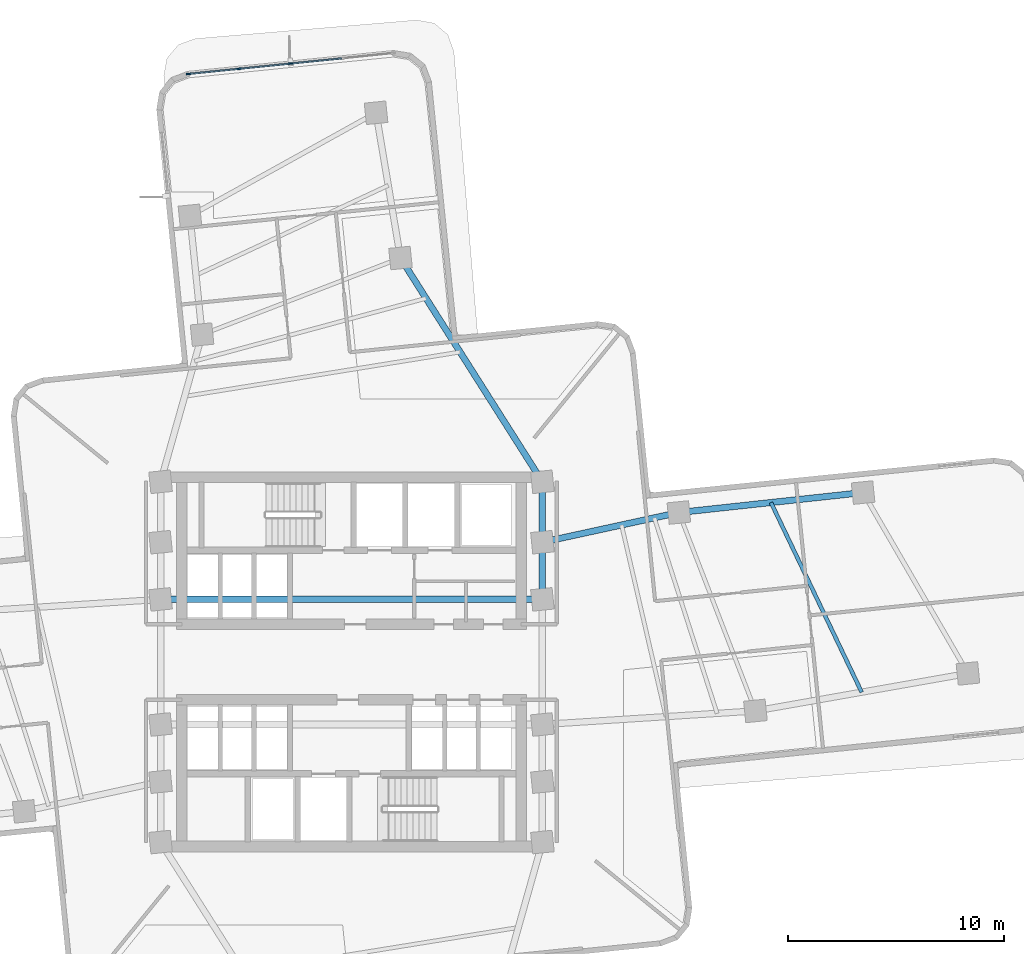
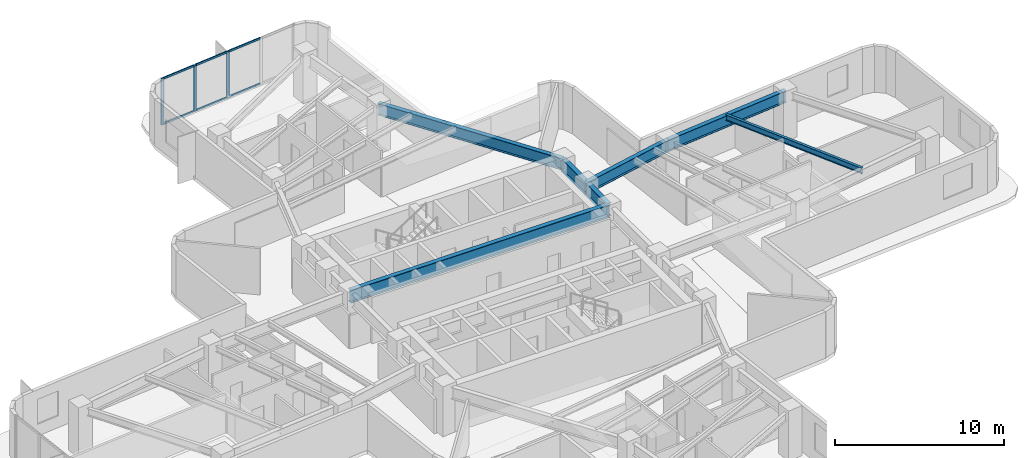
# One storey, part 4 of 14: 9 members, 7 beams, 1 element without a shape of its own.
"""IFC4 building model written with IfcOpenShell, lengths in metres."""

from ifc_helpers import new_model, si_unit, direction, frame, origin, origin_2d, place, context, subcontext, project, spatial, rectangle, i_section, extrude, material, layer, layer_set, material_profile, profile_set, type_object, element, aggregate, save


model = new_model("IFC4")

# Units and contexts
model_context = context("Model", 3, precision=1e-05, world=origin(), true_north=direction((0.0, 1.0)))
body_context = subcontext(model_context, "Body", "Model", "MODEL_VIEW")
ifc_project = project(units=[si_unit("LENGTHUNIT", "METRE"), si_unit("AREAUNIT", "SQUARE_METRE"), si_unit("VOLUMEUNIT", "CUBIC_METRE"), si_unit("PLANEANGLEUNIT", "RADIAN"), si_unit("MASSUNIT", "GRAM", prefix="KILO")], contexts=[model_context])

# Site, building, storey
site_placement = place(None, origin())
site = spatial("IfcSite", under=ifc_project, at=site_placement, CompositionType="ELEMENT")
building_placement = place(site_placement, origin())
building = spatial("IfcBuilding", under=site, at=building_placement, Name="Solmarez Civic Tower", CompositionType="ELEMENT")
storey_placement = place(building_placement, frame((0.0, 0.0, 67.679931640625)))
storey = spatial("IfcBuildingStorey", under=building, at=storey_placement, Name="L17", CompositionType="ELEMENT", Elevation=67.679931640625)

# Beams
ifc_material_1 = material(Name="Steel S355", Category="steel")
ifc_material_profile_1 = material_profile(ifc_material_1, i_section(OverallWidth=0.178955078125, OverallDepth=0.409912109375, WebThickness=0.0087890625, FlangeThickness=0.014404296875, at=origin_2d()), Name="W16X45")
ifc_profile_set_1 = profile_set([ifc_material_profile_1], Name="Steel S355")
beam_type_1 = type_object("IfcBeamType", Name="BM-JS-W16X45", PredefinedType="JOIST", material=ifc_profile_set_1)
beam_1_placement = place(storey_placement, frame((23.64990234375, -1.402099609375, 3.135009765625), z_axis=(-0.431491843414, 0.902116837814, 0.0), x_axis=(-0.902116837814, -0.431491843414, 0.0)))
element("IfcBeam", 1, at=beam_1_placement, inside=storey, type_object=beam_type_1, Name="L17 Secondary Floor Joist JS-L17-EA-M2", PredefinedType="JOIST", context=body_context, shape_type="SweptSolid", body=[
    extrude(i_section(OverallWidth=0.178955078125, OverallDepth=0.409912109375, WebThickness=0.0087890625, FlangeThickness=0.014404296875, at=origin_2d()), origin(), (0.0, 0.0, 1.0), 9.744873046875),
])
ifc_material_profile_2 = material_profile(ifc_material_1, i_section(OverallWidth=0.2919921875, OverallDepth=0.845947265625, WebThickness=0.015380859375, FlangeThickness=0.0244140625, at=origin_2d()), Name="W33X141")
ifc_profile_set_2 = profile_set([ifc_material_profile_2], Name="Steel S355")
beam_type_2 = type_object("IfcBeamType", Name="BM-PR-W33X141", PredefinedType="BEAM", material=ifc_profile_set_2)
beam_2_placement = place(storey_placement, frame((8.85009765625, 5.550048828125, 2.9169921875), z_axis=(0.977113347202, 0.212719314402, 0.0), x_axis=(-0.212719314402, 0.977113347202, 0.0)))
element("IfcBeam", 2, at=beam_2_placement, inside=storey, type_object=beam_type_2, Name="L17 Primary Floor Beam BM-L17-EA-R1B", PredefinedType="BEAM", context=body_context, shape_type="SweptSolid", body=[
    extrude(i_section(OverallWidth=0.2919921875, OverallDepth=0.845947265625, WebThickness=0.015380859375, FlangeThickness=0.0244140625, at=origin_2d()), origin(), (0.0, 0.0, 1.0), 6.47314453125),
])
beam_3_placement = place(storey_placement, frame((15.175048828125, 6.927001953125, 2.9169921875), z_axis=(0.994196782435, 0.107576753045, 0.0), x_axis=(-0.107576753045, 0.994196782435, 0.0)))
element("IfcBeam", 3, at=beam_3_placement, inside=storey, type_object=beam_type_2, Name="L17 Primary Floor Beam BM-L17-EA-R2B", PredefinedType="BEAM", context=body_context, shape_type="SweptSolid", body=[
    extrude(i_section(OverallWidth=0.2919921875, OverallDepth=0.845947265625, WebThickness=0.015380859375, FlangeThickness=0.0244140625, at=origin_2d()), origin(), (0.0, 0.0, 1.0), 8.58984375),
])
beam_4_placement = place(storey_placement, frame((8.85009765625, 8.35009765625, 2.9169921875), z_axis=(-0.535568299099, 0.84449191648, 0.0), x_axis=(-0.84449191648, -0.535568299099, 0.0)))
element("IfcBeam", 4, at=beam_4_placement, inside=storey, type_object=beam_type_2, Name="L17 Primary Floor Beam BM-L17-NA-R1A", PredefinedType="BEAM", context=body_context, shape_type="SweptSolid", body=[
    extrude(i_section(OverallWidth=0.2919921875, OverallDepth=0.845947265625, WebThickness=0.015380859375, FlangeThickness=0.0244140625, at=origin_2d()), origin(), (0.0, 0.0, 1.0), 12.284423828125),
])
ifc_material_profile_3 = material_profile(ifc_material_1, i_section(OverallWidth=0.306884765625, OverallDepth=0.927001953125, WebThickness=0.019287109375, FlangeThickness=0.031982421875, at=origin_2d()), Name="W36X194")
ifc_profile_set_3 = profile_set([ifc_material_profile_3], Name="Steel S355")
beam_type_3 = type_object("IfcBeamType", Name="BM-PR-W36X194", PredefinedType="BEAM", material=ifc_profile_set_3)
beam_5_placement = place(storey_placement, frame((8.85009765625, 2.89990234375, 2.8759765625), z_axis=(0.0, 1.0, 0.0), x_axis=(-1.0, 0.0, 0.0)))
element("IfcBeam", 5, at=beam_5_placement, inside=storey, type_object=beam_type_3, Name="L17 Primary Floor Beam BM-L17-HC7-HC8", PredefinedType="BEAM", context=body_context, shape_type="SweptSolid", body=[
    extrude(i_section(OverallWidth=0.306884765625, OverallDepth=0.927001953125, WebThickness=0.019287109375, FlangeThickness=0.031982421875, at=origin_2d()), origin(), (0.0, 0.0, 1.0), 2.650146484375),
])
beam_6_placement = place(storey_placement, frame((8.85009765625, 5.550048828125, 2.8759765625), z_axis=(0.0, 1.0, 0.0), x_axis=(-1.0, 0.0, 0.0)))
element("IfcBeam", 6, at=beam_6_placement, inside=storey, type_object=beam_type_3, Name="L17 Primary Floor Beam BM-L17-HC8-HC11", PredefinedType="BEAM", context=body_context, shape_type="SweptSolid", body=[
    extrude(i_section(OverallWidth=0.306884765625, OverallDepth=0.927001953125, WebThickness=0.019287109375, FlangeThickness=0.031982421875, at=origin_2d()), origin(), (0.0, 0.0, 1.0), 2.800048828125),
])
beam_7_placement = place(storey_placement, frame((-8.85009765625, 2.89990234375, 2.8759765625), z_axis=(1.0, 0.0, 0.0), x_axis=(0.0, 1.0, 0.0)))
element("IfcBeam", 7, at=beam_7_placement, inside=storey, type_object=beam_type_3, Name="L17 Primary Floor Beam BM-L17-HC3-HC7", PredefinedType="BEAM", context=body_context, shape_type="SweptSolid", body=[
    extrude(i_section(OverallWidth=0.306884765625, OverallDepth=0.927001953125, WebThickness=0.019287109375, FlangeThickness=0.031982421875, at=origin_2d()), origin(), (0.0, 0.0, 1.0), 17.7001953125),
])

# Curtain wall, members
ifc_material_2 = material(Name="Bronze Anodised Aluminium EN AW-6063 T6", Category="aluminium")
ifc_layer = layer(ifc_material_2, 0.199951171875)
ifc_layer_set = layer_set([ifc_layer], Name="Bronze Anodised Aluminium EN AW-6063 T6")
curtain_wall_type = type_object("IfcCurtainWallType", Name="CW-SYS-1", PredefinedType="NOTDEFINED", material=ifc_layer_set)
curtain_wall_placement = place(storey_placement, origin())
curtain_wall = element("IfcCurtainWall", 8, at=curtain_wall_placement, inside=storey, type_object=curtain_wall_type, Name="L17 Stick-Built Curtain Wall 2", PredefinedType="NOTDEFINED")
ifc_material_profile_4 = material_profile(ifc_material_2, rectangle(XDim=0.074951171875, YDim=0.199951171875, at=origin_2d()), Name="CWM-75X200")
ifc_profile_set_4 = profile_set([ifc_material_profile_4], Name="Bronze Anodised Aluminium EN AW-6063 T6")
member_type_1 = type_object("IfcMemberType", Name="CWM-TYPE-1", PredefinedType="MULLION", material=ifc_profile_set_4)
member_1_placement = place(storey_placement, frame((-7.564697265625, 27.2548828125, 0.0), z_axis=(0.0, 0.0, 1.0), x_axis=(-0.101160893168, 0.994870078801, 0.0)))
member_1 = element("IfcMember", 9, at=member_1_placement, type_object=member_type_1, Name="CWS1 mullion 1", PredefinedType="MULLION", context=body_context, shape_type="SweptSolid", body=[
    extrude(rectangle(XDim=0.074951171875, YDim=0.199951171875, at=origin_2d()), origin(), (0.0, 0.0, 1.0), 3.340087890625),
])
member_2_placement = place(storey_placement, frame((-5.209716796875, 27.494140625, 0.0), z_axis=(0.0, 0.0, 1.0), x_axis=(-0.101160893168, 0.994870078801, 0.0)))
member_2 = element("IfcMember", 10, at=member_2_placement, type_object=member_type_1, Name="CWS1 mullion 2", PredefinedType="MULLION", context=body_context, shape_type="SweptSolid", body=[
    extrude(rectangle(XDim=0.074951171875, YDim=0.199951171875, at=origin_2d()), origin(), (0.0, 0.0, 1.0), 3.340087890625),
])
member_3_placement = place(storey_placement, frame((-2.8173828125, 27.737548828125, 0.0), z_axis=(0.0, 0.0, 1.0), x_axis=(-0.101160893168, 0.994870078801, 0.0)))
member_3 = element("IfcMember", 11, at=member_3_placement, type_object=member_type_1, Name="CWS1 mullion 3", PredefinedType="MULLION", context=body_context, shape_type="SweptSolid", body=[
    extrude(rectangle(XDim=0.074951171875, YDim=0.199951171875, at=origin_2d()), origin(), (0.0, 0.0, 1.0), 3.340087890625),
])
ifc_material_profile_5 = material_profile(ifc_material_2, rectangle(XDim=0.070068359375, YDim=0.139892578125, at=origin_2d()), Name="CWT-70X140")
ifc_profile_set_5 = profile_set([ifc_material_profile_5], Name="Bronze Anodised Aluminium EN AW-6063 T6")
member_type_2 = type_object("IfcMemberType", Name="CWT-TYPE-1", PredefinedType="USERDEFINED", material=ifc_profile_set_5)
member_4_placement = place(storey_placement, frame((-7.52734375, 27.258544921875, 0.03515625), z_axis=(0.994867019954, 0.10119097098, 0.0), x_axis=(-0.10119097098, 0.994867019954, 0.0)))
member_4 = element("IfcMember", 12, at=member_4_placement, type_object=member_type_2, Name="CWS1 transom 1.1", ObjectType="TRANSOM", PredefinedType="USERDEFINED", context=body_context, shape_type="SweptSolid", body=[
    extrude(rectangle(XDim=0.070068359375, YDim=0.139892578125, at=origin_2d()), origin(), (0.0, 0.0, 1.0), 2.2919921875),
])
member_5_placement = place(storey_placement, frame((-7.52734375, 27.258544921875, 3.30517578125), z_axis=(0.994867019954, 0.10119097098, 0.0), x_axis=(-0.10119097098, 0.994867019954, 0.0)))
member_5 = element("IfcMember", 13, at=member_5_placement, type_object=member_type_2, Name="CWS1 transom 1.2", ObjectType="TRANSOM", PredefinedType="USERDEFINED", context=body_context, shape_type="SweptSolid", body=[
    extrude(rectangle(XDim=0.070068359375, YDim=0.139892578125, at=origin_2d()), origin(), (0.0, 0.0, 1.0), 2.2919921875),
])
member_6_placement = place(storey_placement, frame((-5.17236328125, 27.498046875, 0.03515625), z_axis=(0.994872948637, 0.101132665694, 0.0), x_axis=(-0.101132665694, 0.994872948637, 0.0)))
member_6 = element("IfcMember", 14, at=member_6_placement, type_object=member_type_2, Name="CWS1 transom 2.1", ObjectType="TRANSOM", PredefinedType="USERDEFINED", context=body_context, shape_type="SweptSolid", body=[
    extrude(rectangle(XDim=0.070068359375, YDim=0.139892578125, at=origin_2d()), origin(), (0.0, 0.0, 1.0), 2.32958984375),
])
member_7_placement = place(storey_placement, frame((-5.17236328125, 27.498046875, 3.30517578125), z_axis=(0.994872948637, 0.101132665694, 0.0), x_axis=(-0.101132665694, 0.994872948637, 0.0)))
member_7 = element("IfcMember", 15, at=member_7_placement, type_object=member_type_2, Name="CWS1 transom 2.2", ObjectType="TRANSOM", PredefinedType="USERDEFINED", context=body_context, shape_type="SweptSolid", body=[
    extrude(rectangle(XDim=0.070068359375, YDim=0.139892578125, at=origin_2d()), origin(), (0.0, 0.0, 1.0), 2.32958984375),
])
member_8_placement = place(storey_placement, frame((-2.7802734375, 27.7412109375, 0.03515625), z_axis=(0.994862398909, 0.101236392852, 0.0), x_axis=(-0.101236392852, 0.994862398909, 0.0)))
member_8 = element("IfcMember", 16, at=member_8_placement, type_object=member_type_2, Name="CWS1 transom 3.1", ObjectType="TRANSOM", PredefinedType="USERDEFINED", context=body_context, shape_type="SweptSolid", body=[
    extrude(rectangle(XDim=0.070068359375, YDim=0.139892578125, at=origin_2d()), origin(), (0.0, 0.0, 1.0), 2.32958984375),
])
member_9_placement = place(storey_placement, frame((-2.7802734375, 27.7412109375, 3.30517578125), z_axis=(0.994862398909, 0.101236392852, 0.0), x_axis=(-0.101236392852, 0.994862398909, 0.0)))
member_9 = element("IfcMember", 17, at=member_9_placement, type_object=member_type_2, Name="CWS1 transom 3.2", ObjectType="TRANSOM", PredefinedType="USERDEFINED", context=body_context, shape_type="SweptSolid", body=[
    extrude(rectangle(XDim=0.070068359375, YDim=0.139892578125, at=origin_2d()), origin(), (0.0, 0.0, 1.0), 2.32958984375),
])
aggregate(curtain_wall, [member_1, member_2, member_3, member_4, member_5, member_6, member_7, member_8, member_9])

save(model, "model.ifc")
